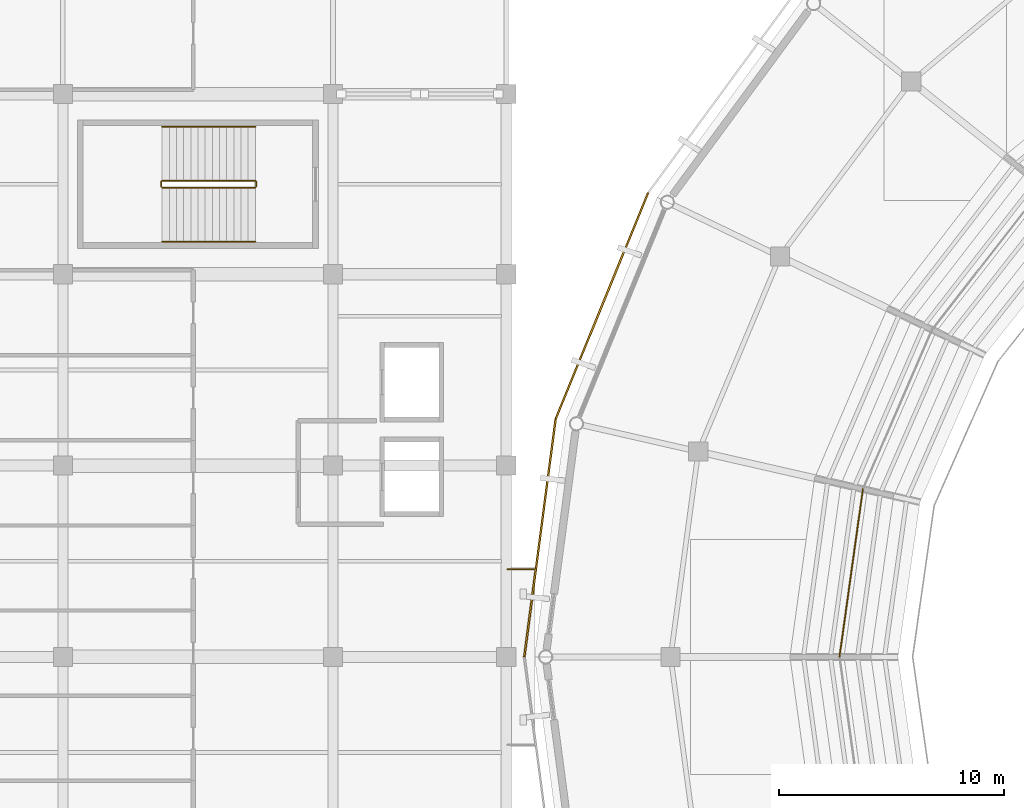
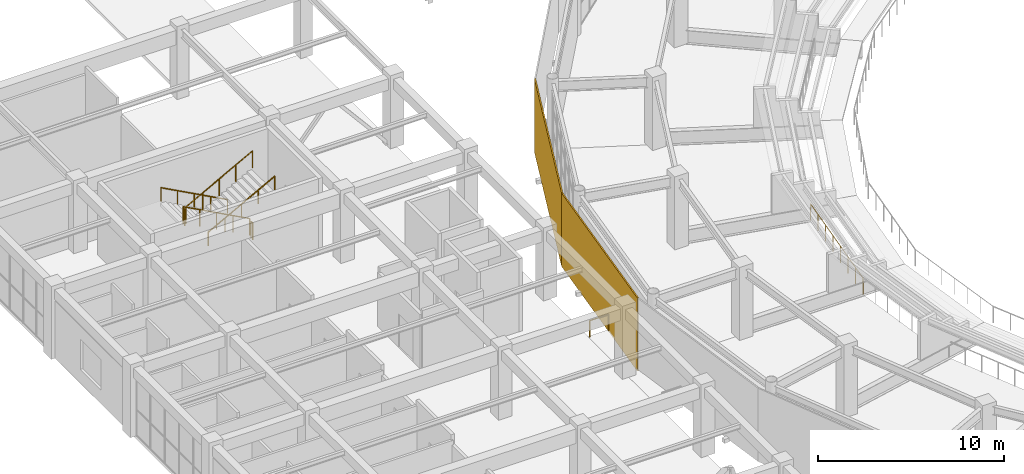
# One storey, part 116 of 122: 8 railings, 2 coverings.
"""IFC4 building model written with IfcOpenShell, lengths in metres."""

from ifc_helpers import new_model, si_unit, direction, frame, frame_2d, origin, origin_2d, place, context, subcontext, project, spatial, rectangle, circle, extrude, material, layer, layer_set, type_object, element, save


model = new_model("IFC4")

# Units and contexts
model_context = context("Model", 3, precision=1e-05, world=origin(), true_north=direction((0.0, 1.0)))
body_context = subcontext(model_context, "Body", "Model", "MODEL_VIEW")
ifc_project = project(units=[si_unit("LENGTHUNIT", "METRE"), si_unit("AREAUNIT", "SQUARE_METRE"), si_unit("VOLUMEUNIT", "CUBIC_METRE"), si_unit("PLANEANGLEUNIT", "RADIAN"), si_unit("MASSUNIT", "GRAM", prefix="KILO")], contexts=[model_context])

# Site, building, storey
site_placement = place(None, origin())
site = spatial("IfcSite", under=ifc_project, at=site_placement, CompositionType="ELEMENT")
building_placement = place(site_placement, origin())
building = spatial("IfcBuilding", under=site, at=building_placement, Name="Cuetzalor Civic Arena", CompositionType="ELEMENT")
storey_placement = place(building_placement, frame((0.0, 0.0, 16.199951171875)))
storey = spatial("IfcBuildingStorey", under=building, at=storey_placement, Name="L03", CompositionType="ELEMENT", Elevation=16.199951171875)

# Railings
ifc_material_1 = material(Name="Reseda-green Steel S355 and laminated glass guard", Category="steel")
railing_type_1 = type_object("IfcRailingType", Name="BowlSightlineGuard_1100", PredefinedType="BALUSTRADE", material=ifc_material_1)
railing_1_placement = place(storey_placement, frame((-40.45947265625, 7.45458984375, 0.0)))
element("IfcRailing", 1, at=railing_1_placement, inside=storey, type_object=railing_type_1, Name="Upper Concourse Inner Rim Balustrade S14", PredefinedType="BALUSTRADE", context=body_context, shape_type="SweptSolid", body=[
    extrude(circle(Radius=0.02392578125, at=origin_2d()), frame((0.0, 0.0, 1.076171875), z_axis=(-0.138241906656, -0.990398493155, 0.0), x_axis=(0.990398493155, -0.138241906656, 0.0)), (0.0, 0.0, 1.0), 7.52685546875),
    extrude(circle(Radius=0.02099609375, at=origin_2d()), origin(), (0.0, 0.0, 1.0), 1.052001953125),
    extrude(circle(Radius=0.02099609375, at=origin_2d()), frame((-0.148681640625, -1.06494140625, 0.0)), (0.0, 0.0, 1.0), 1.052001953125),
    extrude(circle(Radius=0.02099609375, at=origin_2d()), frame((-0.29736328125, -2.1298828125, 0.0)), (0.0, 0.0, 1.0), 1.052001953125),
    extrude(circle(Radius=0.02099609375, at=origin_2d()), frame((-0.446044921875, -3.19482421875, 0.0)), (0.0, 0.0, 1.0), 1.052001953125),
    extrude(circle(Radius=0.02099609375, at=origin_2d()), frame((-0.594482421875, -4.259765625, 0.0)), (0.0, 0.0, 1.0), 1.052001953125),
    extrude(circle(Radius=0.02099609375, at=origin_2d()), frame((-0.7431640625, -5.32470703125, 0.0)), (0.0, 0.0, 1.0), 1.052001953125),
    extrude(circle(Radius=0.02099609375, at=origin_2d()), frame((-0.891845703125, -6.3896484375, 0.0)), (0.0, 0.0, 1.0), 1.052001953125),
    extrude(circle(Radius=0.02099609375, at=origin_2d()), frame((-1.04052734375, -7.45458984375, 0.0)), (0.0, 0.0, 1.0), 1.052001953125),
])
ifc_material_2 = material(Name="Reseda-green architectural Steel S355 balustrade", Category="steel")
railing_type_2 = type_object("IfcRailingType", Name="InteriorVoidBalustrade_1100", PredefinedType="BALUSTRADE", material=ifc_material_2)
railing_2_placement = place(storey_placement, frame((-67.449951171875, 21.14990234375, 0.17138671875)))
element("IfcRailing", 2, at=railing_2_placement, inside=storey, type_object=railing_type_2, Name="L03 ST-17 stair guard 1", PredefinedType="BALUSTRADE", context=body_context, shape_type="SweptSolid", body=[
    extrude(circle(Radius=0.02392578125, at=origin_2d()), frame((0.0, 0.0, 1.0810546875), z_axis=(-0.880227283719, 0.0, 0.474552345897), x_axis=(0.0, -1.0, 0.0)), (0.0, 0.0, 1.0), 4.696533203125),
    extrude(circle(Radius=0.02099609375, at=origin_2d()), origin(), (0.0, 0.0, 1.0), 1.056884765625),
    extrude(circle(Radius=0.02099609375, at=origin_2d()), frame((-1.033447265625, 0.0, 0.55712890625)), (0.0, 0.0, 1.0), 1.056884765625),
    extrude(circle(Radius=0.02099609375, at=origin_2d()), frame((-2.06689453125, 0.0, 1.1142578125)), (0.0, 0.0, 1.0), 1.056884765625),
    extrude(circle(Radius=0.02099609375, at=origin_2d()), frame((-3.1005859375, 0.0, 1.671630859375)), (0.0, 0.0, 1.0), 1.056884765625),
    extrude(circle(Radius=0.02099609375, at=origin_2d()), frame((-4.134033203125, 0.0, 2.228759765625)), (0.0, 0.0, 1.0), 1.056884765625),
])
railing_3_placement = place(storey_placement, frame((-71.634033203125, 21.10009765625, 2.400146484375)))
element("IfcRailing", 3, at=railing_3_placement, inside=storey, type_object=railing_type_2, Name="L03 ST-17 stair guard 2", PredefinedType="BALUSTRADE", context=body_context, shape_type="SweptSolid", body=[
    extrude(circle(Radius=0.02392578125, at=origin_2d()), frame((0.0, 0.0, 1.0810546875), z_axis=(0.0, -1.0, 0.0), x_axis=(1.0, 0.0, 0.0)), (0.0, 0.0, 1.0), 0.2001953125),
    extrude(circle(Radius=0.02099609375, at=origin_2d()), origin(), (0.0, 0.0, 1.0), 1.056884765625),
    extrude(circle(Radius=0.02099609375, at=origin_2d()), frame((0.0, -0.2001953125, 0.0)), (0.0, 0.0, 1.0), 1.056884765625),
])
railing_4_placement = place(storey_placement, frame((-71.583984375, 20.85009765625, 2.571533203125)))
element("IfcRailing", 4, at=railing_4_placement, inside=storey, type_object=railing_type_2, Name="L03 ST-17 stair guard 3", PredefinedType="BALUSTRADE", context=body_context, shape_type="SweptSolid", body=[
    extrude(circle(Radius=0.02392578125, at=origin_2d()), frame((0.0, 0.0, 1.0810546875), z_axis=(0.880248997335, 0.0, 0.474512068014), x_axis=(0.0, 1.0, 0.0)), (0.0, 0.0, 1.0), 4.696533203125),
    extrude(circle(Radius=0.02099609375, at=origin_2d()), origin(), (0.0, 0.0, 1.0), 1.056884765625),
    extrude(circle(Radius=0.02099609375, at=origin_2d()), frame((1.033447265625, 0.0, 0.55712890625)), (0.0, 0.0, 1.0), 1.056884765625),
    extrude(circle(Radius=0.02099609375, at=origin_2d()), frame((2.06689453125, 0.0, 1.1142578125)), (0.0, 0.0, 1.0), 1.056884765625),
    extrude(circle(Radius=0.02099609375, at=origin_2d()), frame((3.1005859375, 0.0, 1.67138671875)), (0.0, 0.0, 1.0), 1.056884765625),
    extrude(circle(Radius=0.02099609375, at=origin_2d()), frame((4.134033203125, 0.0, 2.228515625)), (0.0, 0.0, 1.0), 1.056884765625),
])
railing_5_placement = place(storey_placement, frame((-67.39990234375, 21.10009765625, 0.0)))
element("IfcRailing", 5, at=railing_5_placement, inside=storey, type_object=railing_type_2, Name="L03 ST-17 stair guard 4", PredefinedType="BALUSTRADE", context=body_context, shape_type="SweptSolid", body=[
    extrude(circle(Radius=0.02392578125, at=origin_2d()), frame((0.0, 0.0, 1.0810546875), z_axis=(0.0, -1.0, 0.0), x_axis=(1.0, 0.0, 0.0)), (0.0, 0.0, 1.0), 0.2001953125),
    extrude(circle(Radius=0.02099609375, at=origin_2d()), origin(), (0.0, 0.0, 1.0), 1.056884765625),
    extrude(circle(Radius=0.02099609375, at=origin_2d()), frame((0.0, -0.2001953125, 0.0)), (0.0, 0.0, 1.0), 1.056884765625),
])
railing_6_placement = place(storey_placement, frame((-56.25, 3.89990234375, 0.0)))
element("IfcRailing", 6, at=railing_6_placement, inside=storey, type_object=railing_type_2, Name="Seismic Bridge Balustrade V4W L03 N", PredefinedType="BALUSTRADE", context=body_context, shape_type="SweptSolid", body=[
    extrude(circle(Radius=0.02392578125, at=origin_2d()), frame((0.0, 0.0, 1.076171875), z_axis=(1.0, 0.0, 0.0), x_axis=(0.0, 1.0, 0.0)), (0.0, 0.0, 1.0), 1.169921875),
    extrude(circle(Radius=0.02099609375, at=origin_2d()), origin(), (0.0, 0.0, 1.0), 1.052001953125),
    extrude(circle(Radius=0.02099609375, at=origin_2d()), frame((1.169921875, 0.0, 0.0)), (0.0, 0.0, 1.0), 1.052001953125),
])
ifc_material_3 = material(Name="Galvanised steel S355", Category="steel")
railing_type_3 = type_object("IfcRailingType", Name="StairPitchHandrail_900", PredefinedType="HANDRAIL", material=ifc_material_3)
railing_7_placement = place(storey_placement, frame((-67.449951171875, 23.550048828125, 0.17138671875)))
element("IfcRailing", 7, at=railing_7_placement, inside=storey, type_object=railing_type_3, Name="L03 ST-17 stair handrail 1", PredefinedType="HANDRAIL", context=body_context, shape_type="SweptSolid", body=[
    extrude(circle(Radius=0.02392578125, at=origin_2d()), frame((0.0, 0.0, 0.8759765625), z_axis=(-0.880227283719, 0.0, 0.474552345897), x_axis=(0.0, -1.0, 0.0)), (0.0, 0.0, 1.0), 4.696533203125),
    extrude(circle(Radius=0.02099609375, at=origin_2d()), origin(), (0.0, 0.0, 1.0), 0.851806640625),
    extrude(circle(Radius=0.02099609375, at=origin_2d()), frame((-1.033447265625, 0.0, 0.55712890625)), (0.0, 0.0, 1.0), 0.851806640625),
    extrude(circle(Radius=0.02099609375, at=origin_2d()), frame((-2.06689453125, 0.0, 1.1142578125)), (0.0, 0.0, 1.0), 0.851806640625),
    extrude(circle(Radius=0.02099609375, at=origin_2d()), frame((-3.1005859375, 0.0, 1.671630859375)), (0.0, 0.0, 1.0), 0.851806640625),
    extrude(circle(Radius=0.02099609375, at=origin_2d()), frame((-4.134033203125, 0.0, 2.228759765625)), (0.0, 0.0, 1.0), 0.851806640625),
])
railing_8_placement = place(storey_placement, frame((-71.583984375, 18.449951171875, 2.571533203125)))
element("IfcRailing", 8, at=railing_8_placement, inside=storey, type_object=railing_type_3, Name="L03 ST-17 stair handrail 2", PredefinedType="HANDRAIL", context=body_context, shape_type="SweptSolid", body=[
    extrude(circle(Radius=0.02392578125, at=origin_2d()), frame((0.0, 0.0, 0.8759765625), z_axis=(0.880248997335, 0.0, 0.474512068014), x_axis=(0.0, 1.0, 0.0)), (0.0, 0.0, 1.0), 4.696533203125),
    extrude(circle(Radius=0.02099609375, at=origin_2d()), origin(), (0.0, 0.0, 1.0), 0.851806640625),
    extrude(circle(Radius=0.02099609375, at=origin_2d()), frame((1.033447265625, 0.0, 0.55712890625)), (0.0, 0.0, 1.0), 0.851806640625),
    extrude(circle(Radius=0.02099609375, at=origin_2d()), frame((2.06689453125, 0.0, 1.1142578125)), (0.0, 0.0, 1.0), 0.851806640625),
    extrude(circle(Radius=0.02099609375, at=origin_2d()), frame((3.1005859375, 0.0, 1.67138671875)), (0.0, 0.0, 1.0), 0.851806640625),
    extrude(circle(Radius=0.02099609375, at=origin_2d()), frame((4.134033203125, 0.0, 2.228515625)), (0.0, 0.0, 1.0), 0.851806640625),
])

# Coverings
ifc_material_4 = material(Name="Terracotta-red perforated anodised aluminium panel", Category="masonry")
ifc_layer = layer(ifc_material_4, 0.080078125)
ifc_layer_set = layer_set([ifc_layer], Name="Terracotta-red perforated anodised aluminium panel")
covering_type = type_object("IfcCoveringType", Name="TerracottaPerforatedScreenPanel", PredefinedType="CLADDING", material=ifc_layer_set)
covering_1_placement = place(storey_placement, frame((-54.1083984375, 10.569580078125, -0.139892578125), z_axis=(0.0, 0.0, 1.0), x_axis=(0.378411973316, 0.925637282336, 0.0)))
element("IfcCovering", 9, at=covering_1_placement, inside=storey, type_object=covering_type, Name="Terracotta Perforated Drum Screen L03-S13", PredefinedType="CLADDING", context=body_context, shape_type="SweptSolid", body=[
    extrude(rectangle(XDim=10.8466796875, YDim=0.080078125, at=frame_2d((5.42333984375, 0.0))), origin(), (0.0, 0.0, 1.0), 4.81982421875),
])
covering_2_placement = place(storey_placement, frame((-55.5, 0.0, -0.139892578125), z_axis=(0.0, 0.0, 1.0), x_axis=(0.130534485624, 0.991443769491, 0.0)))
element("IfcCovering", 10, at=covering_2_placement, inside=storey, type_object=covering_type, Name="Terracotta Perforated Drum Screen L03-S14", PredefinedType="CLADDING", context=body_context, shape_type="SweptSolid", body=[
    extrude(rectangle(XDim=10.660888671875, YDim=0.080078125, at=frame_2d((5.33056640625, 0.0))), origin(), (0.0, 0.0, 1.0), 4.81982421875),
])

save(model, "model.ifc")
